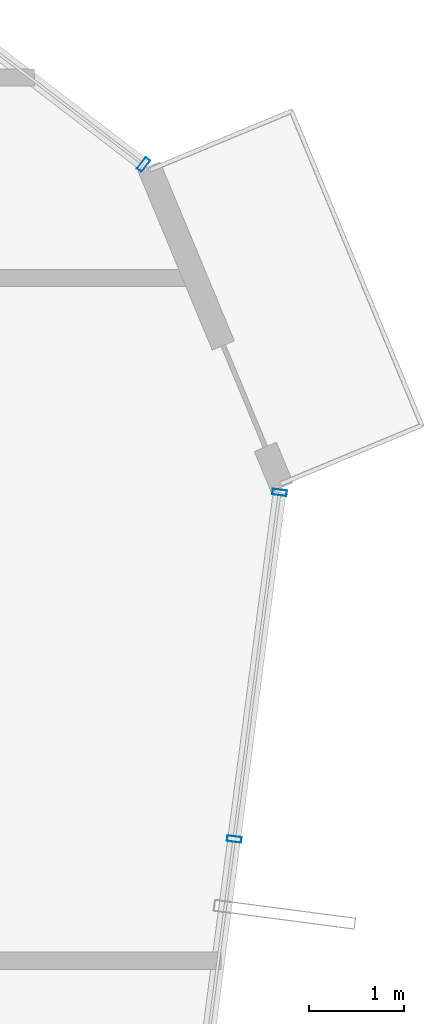
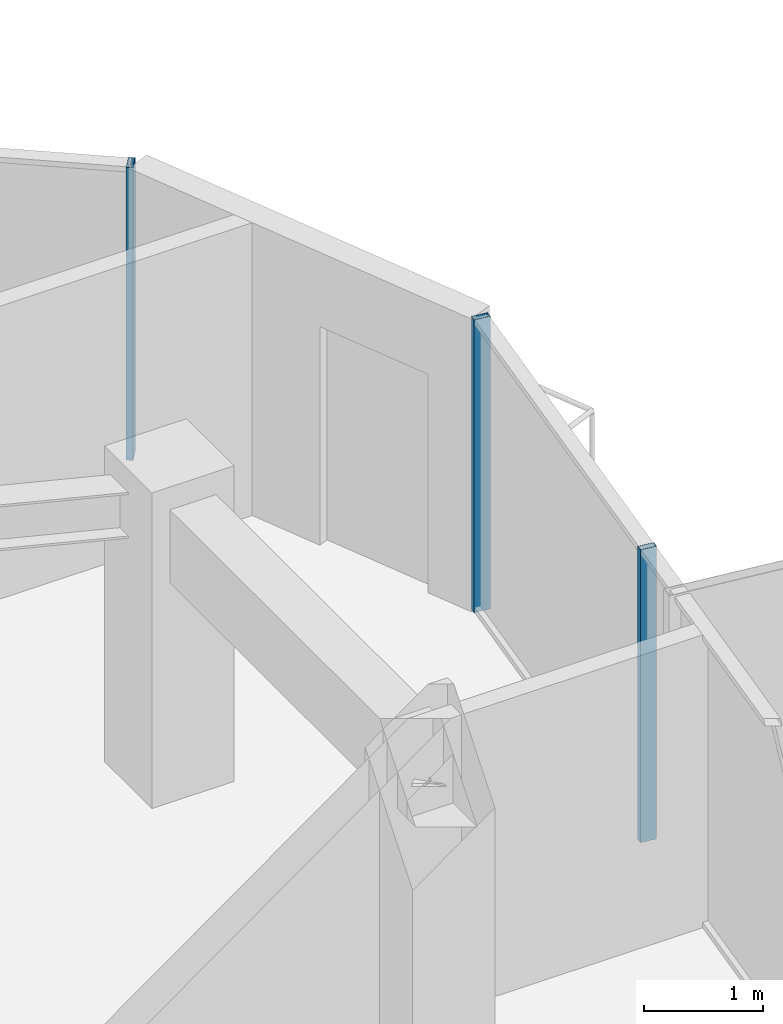
# One storey, part 22 of 31: 3 members, 2 elements without a shape of their own.
"""IFC4 building model written with IfcOpenShell, lengths in metres."""

from ifc_helpers import new_model, si_unit, direction, frame, origin, origin_2d, place, context, subcontext, project, spatial, hollow_rectangle, extrude, source, transform, mapped, material, layer, layer_set, material_profile, profile_set, type_object, element, aggregate, save


model = new_model("IFC4")

# Units and contexts
model_context = context("Model", 3, precision=1e-05, world=origin(), true_north=direction((0.0, 1.0)))
body_context = subcontext(model_context, "Body", "Model", "MODEL_VIEW")
ifc_project = project(units=[si_unit("LENGTHUNIT", "METRE"), si_unit("AREAUNIT", "SQUARE_METRE"), si_unit("VOLUMEUNIT", "CUBIC_METRE"), si_unit("PLANEANGLEUNIT", "RADIAN"), si_unit("MASSUNIT", "GRAM", prefix="KILO")], contexts=[model_context])

# Site, building, storey
site_placement = place(None, origin())
site = spatial("IfcSite", under=ifc_project, at=site_placement, CompositionType="ELEMENT")
building_placement = place(site_placement, origin())
building = spatial("IfcBuilding", under=site, at=building_placement, Name="Veraguas Prism Commons", CompositionType="ELEMENT")
storey_placement = place(building_placement, frame((0.0, 0.0, 233.300048828125)))
storey = spatial("IfcBuildingStorey", under=building, at=storey_placement, Name="L66", CompositionType="ELEMENT", Elevation=233.300048828125)

# Curtain wall, member
ifc_material = material(Name="Anodised aluminium EN AW-6063 T6", Category="aluminium")
ifc_layer = layer(ifc_material, 0.14990234375, Name="Unitised Flush Curtain Wall Zone 4", Category="aluminium")
ifc_layer_set = layer_set([ifc_layer], Name="Anodised aluminium EN AW-6063 T6")
curtain_wall_type = type_object("IfcCurtainWallType", Name="Unitised Flush Curtain Wall Zone 4", PredefinedType="NOTDEFINED", material=ifc_layer_set)
curtain_wall_1_placement = place(storey_placement, origin())
curtain_wall_1 = element("IfcCurtainWall", 1, at=curtain_wall_1_placement, inside=storey, type_object=curtain_wall_type, Name="Tower Facade Curtain Wall L66-F1", PredefinedType="NOTDEFINED")
ifc_material_profile = material_profile(ifc_material, hollow_rectangle(XDim=0.06005859375, YDim=0.14990234375, WallThickness=0.0029296875, at=origin_2d()), Name="AL60X150X3")
ifc_profile_set = profile_set([ifc_material_profile], Name="Anodised aluminium EN AW-6063 T6")
member_type = type_object("IfcMemberType", Name="Curtain Wall Mullion Upper AL 60x150x3", PredefinedType="MULLION", material=ifc_profile_set)
shared_shape = source(origin(), body_context, "Body", "SweptSolid", [
    extrude(hollow_rectangle(XDim=0.06005859375, YDim=0.14990234375, WallThickness=0.0029296875, at=origin_2d()), origin(), (0.0, 0.0, 1.0), 3.014892578125),
])
member_1_placement = place(storey_placement, frame((39.844482421875, 32.5888671875, 0.0), z_axis=(0.0, 0.0, 1.0), x_axis=(-0.793780265613, 0.608204644773, 0.0)))
member_1 = element("IfcMember", 2, at=member_1_placement, type_object=member_type, Name="CW-Z4 Mullion 1", PredefinedType="MULLION", context=body_context, shape_type="MappedRepresentation", body=[
    mapped(shared_shape, transform((0.0, 0.0, 0.0), scale=1.0)),
])
aggregate(curtain_wall_1, [member_1])

# Curtain wall, members
curtain_wall_2_placement = place(storey_placement, origin())
curtain_wall_2 = element("IfcCurtainWall", 3, at=curtain_wall_2_placement, inside=storey, type_object=curtain_wall_type, Name="Tower Facade Curtain Wall L66-F6", PredefinedType="NOTDEFINED")
member_2_placement = place(storey_placement, frame((40.79443359375, 25.52392578125, 0.0), z_axis=(0.0, 0.0, 1.0), x_axis=(0.129835731937, 0.991535517625, 0.0)))
member_2 = element("IfcMember", 4, at=member_2_placement, type_object=member_type, Name="CW-Z4 Mullion 4", PredefinedType="MULLION", context=body_context, shape_type="MappedRepresentation", body=[
    mapped(shared_shape, transform((0.0, 0.0, 0.0), scale=1.0)),
])
member_3_placement = place(storey_placement, frame((41.27001953125, 29.154541015625, 0.0), z_axis=(0.0, 0.0, 1.0), x_axis=(0.129835731937, 0.991535517625, 0.0)))
member_3 = element("IfcMember", 5, at=member_3_placement, type_object=member_type, Name="CW-Z4 Mullion 5", PredefinedType="MULLION", context=body_context, shape_type="MappedRepresentation", body=[
    mapped(shared_shape, transform((0.0, 0.0, 0.0), scale=1.0)),
])
aggregate(curtain_wall_2, [member_2, member_3])

save(model, "model.ifc")
